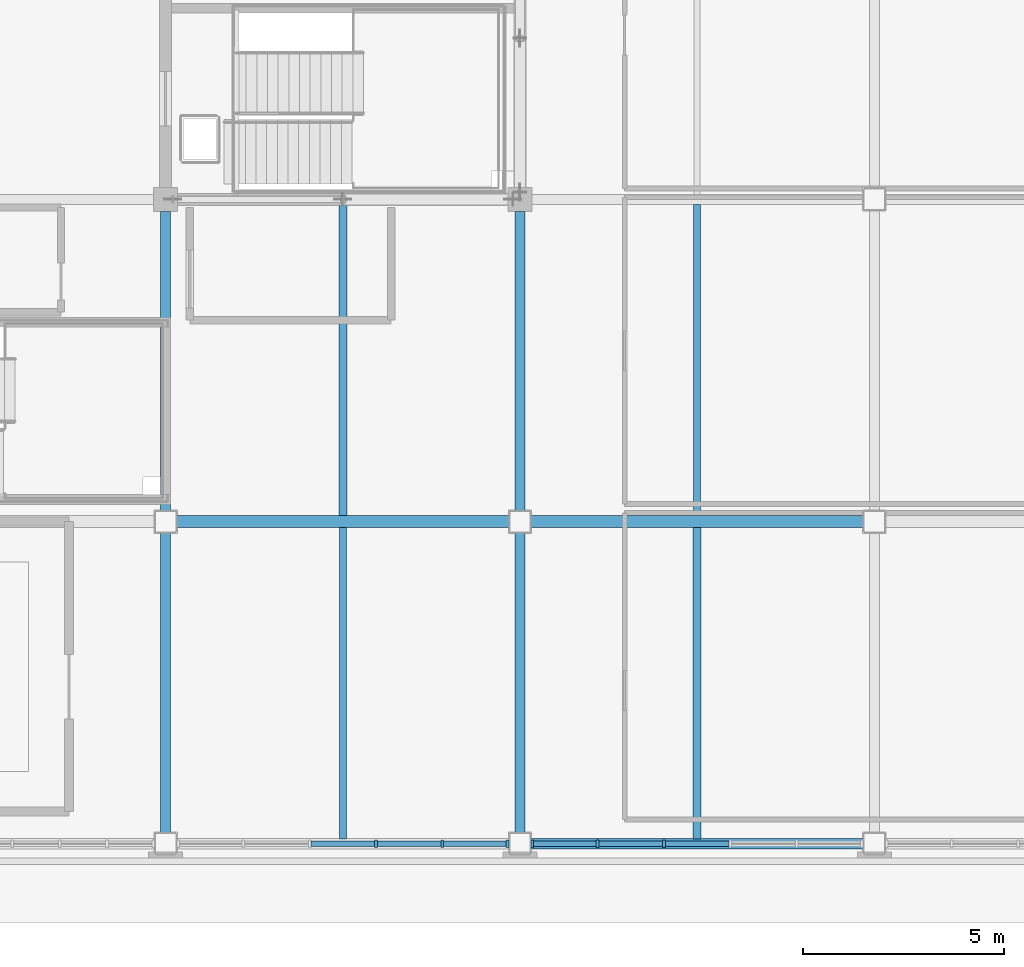
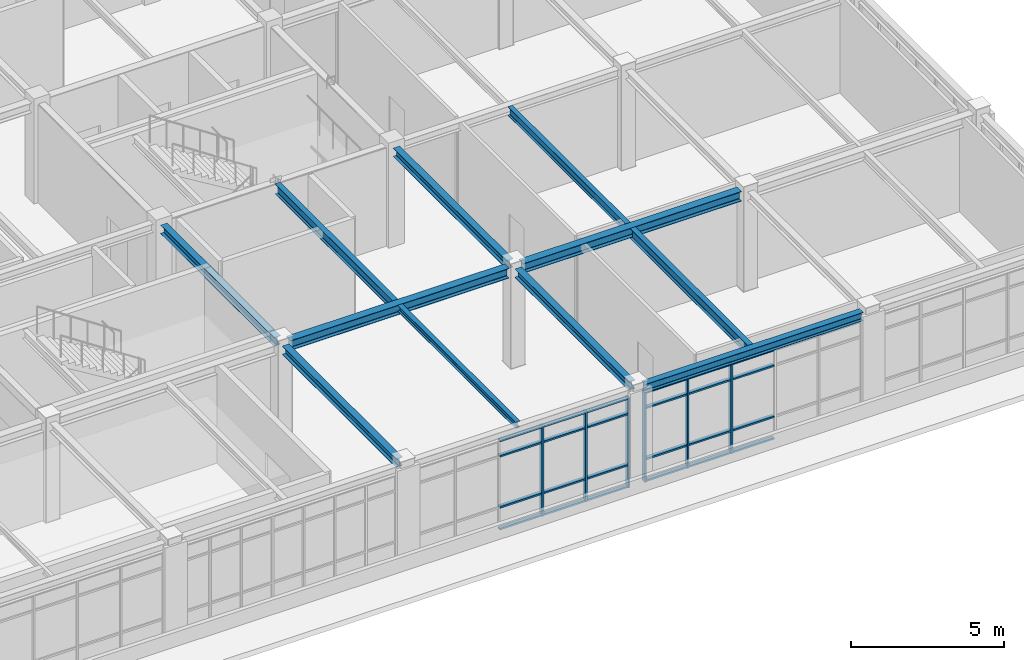
# One storey, part 8 of 64: 30 members, 11 beams, 2 elements without a shape of their own.
"""IFC4 building model written with IfcOpenShell, lengths in metres."""

from ifc_helpers import new_model, si_unit, direction, frame, origin, origin_2d, place, context, subcontext, project, spatial, rectangle, i_section, extrude, material, material_profile, profile_set, type_object, element, aggregate, save


model = new_model("IFC4")

# Units and contexts
model_context = context("Model", 3, precision=1e-05, world=origin(), true_north=direction((0.0, 1.0)))
body_context = subcontext(model_context, "Body", "Model", "MODEL_VIEW")
ifc_project = project(units=[si_unit("LENGTHUNIT", "METRE"), si_unit("AREAUNIT", "SQUARE_METRE"), si_unit("VOLUMEUNIT", "CUBIC_METRE"), si_unit("PLANEANGLEUNIT", "RADIAN"), si_unit("MASSUNIT", "GRAM", prefix="KILO")], contexts=[model_context])

# Site, building, storey
site_placement = place(None, origin())
site = spatial("IfcSite", under=ifc_project, at=site_placement, CompositionType="ELEMENT")
building_placement = place(site_placement, origin())
building = spatial("IfcBuilding", under=site, at=building_placement, Name="Zhaolan Boulevard Law Courts", CompositionType="ELEMENT")
storey_placement = place(building_placement, frame((0.0, 0.0, 20.39990234375)))
storey = spatial("IfcBuildingStorey", under=building, at=storey_placement, Name="L04", CompositionType="ELEMENT", Elevation=20.39990234375)

# Curtain wall, members
ifc_material_1 = material(Name="Thermally broken aluminium and low-E glazing", Category="aluminium")
curtain_wall_type_1 = type_object("IfcCurtainWallType", Name="CURTAIN WALL M19", PredefinedType="USERDEFINED", material=ifc_material_1)
curtain_wall_1_placement = place(storey_placement, origin())
curtain_wall_1 = element("IfcCurtainWall", 1, at=curtain_wall_1_placement, inside=storey, type_object=curtain_wall_type_1, Name="Curtain Wall CW-L04-187", ObjectType="CURTAIN WALL", PredefinedType="USERDEFINED")
ifc_material_2 = material(Name="Fluorocarbon-coated aluminium 6063-T6", Category="aluminium")
ifc_material_profile_1 = material_profile(ifc_material_2, rectangle(XDim=0.179931640625, YDim=0.06494140625, at=origin_2d()), Name="AL65x180")
ifc_profile_set_1 = profile_set([ifc_material_profile_1], Name="Fluorocarbon-coated aluminium 6063-T6")
member_type_1 = type_object("IfcMemberType", Name="CWMULLION 65X180", PredefinedType="MULLION", material=ifc_profile_set_1)
member_1_placement = place(storey_placement, frame((22.82470703125, 30.0, 0.0), z_axis=(0.0, 0.0, 1.0), x_axis=(0.0, 1.0, 0.0)))
member_1 = element("IfcMember", 2, at=member_1_placement, type_object=member_type_1, Name="CW-L04-187 mullion 4", PredefinedType="MULLION", context=body_context, shape_type="SweptSolid", body=[
    extrude(rectangle(XDim=0.179931640625, YDim=0.06494140625, at=origin_2d()), origin(), (0.0, 0.0, 1.0), 3.593017578125),
])
member_2_placement = place(storey_placement, frame((24.473876953125, 30.0, 0.0), z_axis=(0.0, 0.0, 1.0), x_axis=(0.0, 1.0, 0.0)))
member_2 = element("IfcMember", 3, at=member_2_placement, type_object=member_type_1, Name="CW-L04-187 mullion 5", PredefinedType="MULLION", context=body_context, shape_type="SweptSolid", body=[
    extrude(rectangle(XDim=0.179931640625, YDim=0.06494140625, at=origin_2d()), origin(), (0.0, 0.0, 1.0), 3.593017578125),
])
member_3_placement = place(storey_placement, frame((26.090576171875, 30.0, 0.0), z_axis=(0.0, 0.0, 1.0), x_axis=(0.0, 1.0, 0.0)))
member_3 = element("IfcMember", 4, at=member_3_placement, type_object=member_type_1, Name="CW-L04-187 mullion 6", PredefinedType="MULLION", context=body_context, shape_type="SweptSolid", body=[
    extrude(rectangle(XDim=0.179931640625, YDim=0.06494140625, at=origin_2d()), origin(), (0.0, 0.0, 1.0), 3.593017578125),
])

ifc_material_3 = material(Name="Thermally broken aluminium and low-E glazing", Category="aluminium")
curtain_wall_type_2 = type_object("IfcCurtainWallType", Name="CURTAIN WALL M20", PredefinedType="USERDEFINED", material=ifc_material_3)
curtain_wall_2_placement = place(storey_placement, origin())
curtain_wall_2 = element("IfcCurtainWall", 5, at=curtain_wall_2_placement, inside=storey, type_object=curtain_wall_type_2, Name="Curtain Wall CW-L04-188", ObjectType="CURTAIN WALL", PredefinedType="USERDEFINED")
member_4_placement = place(storey_placement, frame((26.70947265625, 30.0, 0.0), z_axis=(0.0, 0.0, 1.0), x_axis=(0.0, 1.0, 0.0)))
member_4 = element("IfcMember", 6, at=member_4_placement, type_object=member_type_1, Name="CW-L04-188 mullion 1", PredefinedType="MULLION", context=body_context, shape_type="SweptSolid", body=[
    extrude(rectangle(XDim=0.179931640625, YDim=0.06494140625, at=origin_2d()), origin(), (0.0, 0.0, 1.0), 3.593017578125),
])
member_5_placement = place(storey_placement, frame((28.326171875, 30.0, 0.0), z_axis=(0.0, 0.0, 1.0), x_axis=(0.0, 1.0, 0.0)))
member_5 = element("IfcMember", 7, at=member_5_placement, type_object=member_type_1, Name="CW-L04-188 mullion 2", PredefinedType="MULLION", context=body_context, shape_type="SweptSolid", body=[
    extrude(rectangle(XDim=0.179931640625, YDim=0.06494140625, at=origin_2d()), origin(), (0.0, 0.0, 1.0), 3.593017578125),
])
member_6_placement = place(storey_placement, frame((29.975341796875, 30.0, 0.0), z_axis=(0.0, 0.0, 1.0), x_axis=(0.0, 1.0, 0.0)))
member_6 = element("IfcMember", 8, at=member_6_placement, type_object=member_type_1, Name="CW-L04-188 mullion 3", PredefinedType="MULLION", context=body_context, shape_type="SweptSolid", body=[
    extrude(rectangle(XDim=0.179931640625, YDim=0.06494140625, at=origin_2d()), origin(), (0.0, 0.0, 1.0), 3.593017578125),
])

# Member
ifc_material_4 = material(Name="Fluorocarbon-coated aluminium 6063-T6", Category="aluminium")
ifc_material_profile_2 = material_profile(ifc_material_4, rectangle(XDim=0.139892578125, YDim=0.06494140625, at=origin_2d()), Name="AL65x140")
ifc_profile_set_2 = profile_set([ifc_material_profile_2], Name="Fluorocarbon-coated aluminium 6063-T6")
member_type_2 = type_object("IfcMemberType", Name="CWTRANSOM 65X140", PredefinedType="USERDEFINED", material=ifc_profile_set_2)
member_7_placement = place(storey_placement, frame((21.2080078125, 30.0, 0.03271484375), z_axis=(1.0, 0.0, 0.0), x_axis=(0.0, 1.0, 0.0)))
member_7 = element("IfcMember", 9, at=member_7_placement, type_object=member_type_2, Name="CW-L04-187 transom 3.1", ObjectType="TRANSOM", PredefinedType="USERDEFINED", context=body_context, shape_type="SweptSolid", body=[
    extrude(rectangle(XDim=0.139892578125, YDim=0.06494140625, at=origin_2d()), origin(), (0.0, 0.0, 1.0), 1.583984375),
])

member_8_placement = place(storey_placement, frame((21.2080078125, 30.0, 0.900146484375), z_axis=(1.0, 0.0, 0.0), x_axis=(0.0, 1.0, 0.0)))
member_8 = element("IfcMember", 10, at=member_8_placement, type_object=member_type_2, Name="CW-L04-187 transom 3.2", ObjectType="TRANSOM", PredefinedType="USERDEFINED", context=body_context, shape_type="SweptSolid", body=[
    extrude(rectangle(XDim=0.139892578125, YDim=0.06494140625, at=origin_2d()), origin(), (0.0, 0.0, 1.0), 1.583984375),
])

member_9_placement = place(storey_placement, frame((21.2080078125, 30.0, 2.943115234375), z_axis=(1.0, 0.0, 0.0), x_axis=(0.0, 1.0, 0.0)))
member_9 = element("IfcMember", 11, at=member_9_placement, type_object=member_type_2, Name="CW-L04-187 transom 3.3", ObjectType="TRANSOM", PredefinedType="USERDEFINED", context=body_context, shape_type="SweptSolid", body=[
    extrude(rectangle(XDim=0.139892578125, YDim=0.06494140625, at=origin_2d()), origin(), (0.0, 0.0, 1.0), 1.583984375),
])

member_10_placement = place(storey_placement, frame((21.2080078125, 30.0, 3.560546875), z_axis=(1.0, 0.0, 0.0), x_axis=(0.0, 1.0, 0.0)))
member_10 = element("IfcMember", 12, at=member_10_placement, type_object=member_type_2, Name="CW-L04-187 transom 3.4", ObjectType="TRANSOM", PredefinedType="USERDEFINED", context=body_context, shape_type="SweptSolid", body=[
    extrude(rectangle(XDim=0.139892578125, YDim=0.06494140625, at=origin_2d()), origin(), (0.0, 0.0, 1.0), 1.583984375),
])

member_11_placement = place(storey_placement, frame((22.857177734375, 30.0, 0.03271484375), z_axis=(1.0, 0.0, 0.0), x_axis=(0.0, 1.0, 0.0)))
member_11 = element("IfcMember", 13, at=member_11_placement, type_object=member_type_2, Name="CW-L04-187 transom 4.1", ObjectType="TRANSOM", PredefinedType="USERDEFINED", context=body_context, shape_type="SweptSolid", body=[
    extrude(rectangle(XDim=0.139892578125, YDim=0.06494140625, at=origin_2d()), origin(), (0.0, 0.0, 1.0), 1.584228515625),
])

member_12_placement = place(storey_placement, frame((22.857177734375, 30.0, 0.900146484375), z_axis=(1.0, 0.0, 0.0), x_axis=(0.0, 1.0, 0.0)))
member_12 = element("IfcMember", 14, at=member_12_placement, type_object=member_type_2, Name="CW-L04-187 transom 4.2", ObjectType="TRANSOM", PredefinedType="USERDEFINED", context=body_context, shape_type="SweptSolid", body=[
    extrude(rectangle(XDim=0.139892578125, YDim=0.06494140625, at=origin_2d()), origin(), (0.0, 0.0, 1.0), 1.584228515625),
])

member_13_placement = place(storey_placement, frame((22.857177734375, 30.0, 2.943115234375), z_axis=(1.0, 0.0, 0.0), x_axis=(0.0, 1.0, 0.0)))
member_13 = element("IfcMember", 15, at=member_13_placement, type_object=member_type_2, Name="CW-L04-187 transom 4.3", ObjectType="TRANSOM", PredefinedType="USERDEFINED", context=body_context, shape_type="SweptSolid", body=[
    extrude(rectangle(XDim=0.139892578125, YDim=0.06494140625, at=origin_2d()), origin(), (0.0, 0.0, 1.0), 1.584228515625),
])

member_14_placement = place(storey_placement, frame((22.857177734375, 30.0, 3.560546875), z_axis=(1.0, 0.0, 0.0), x_axis=(0.0, 1.0, 0.0)))
member_14 = element("IfcMember", 16, at=member_14_placement, type_object=member_type_2, Name="CW-L04-187 transom 4.4", ObjectType="TRANSOM", PredefinedType="USERDEFINED", context=body_context, shape_type="SweptSolid", body=[
    extrude(rectangle(XDim=0.139892578125, YDim=0.06494140625, at=origin_2d()), origin(), (0.0, 0.0, 1.0), 1.584228515625),
])

member_15_placement = place(storey_placement, frame((24.50634765625, 30.0, 0.03271484375), z_axis=(1.0, 0.0, 0.0), x_axis=(0.0, 1.0, 0.0)))
member_15 = element("IfcMember", 17, at=member_15_placement, type_object=member_type_2, Name="CW-L04-187 transom 5.1", ObjectType="TRANSOM", PredefinedType="USERDEFINED", context=body_context, shape_type="SweptSolid", body=[
    extrude(rectangle(XDim=0.139892578125, YDim=0.06494140625, at=origin_2d()), origin(), (0.0, 0.0, 1.0), 1.5517578125),
])

member_16_placement = place(storey_placement, frame((24.50634765625, 30.0, 0.900146484375), z_axis=(1.0, 0.0, 0.0), x_axis=(0.0, 1.0, 0.0)))
member_16 = element("IfcMember", 18, at=member_16_placement, type_object=member_type_2, Name="CW-L04-187 transom 5.2", ObjectType="TRANSOM", PredefinedType="USERDEFINED", context=body_context, shape_type="SweptSolid", body=[
    extrude(rectangle(XDim=0.139892578125, YDim=0.06494140625, at=origin_2d()), origin(), (0.0, 0.0, 1.0), 1.5517578125),
])

member_17_placement = place(storey_placement, frame((24.50634765625, 30.0, 2.943115234375), z_axis=(1.0, 0.0, 0.0), x_axis=(0.0, 1.0, 0.0)))
member_17 = element("IfcMember", 19, at=member_17_placement, type_object=member_type_2, Name="CW-L04-187 transom 5.3", ObjectType="TRANSOM", PredefinedType="USERDEFINED", context=body_context, shape_type="SweptSolid", body=[
    extrude(rectangle(XDim=0.139892578125, YDim=0.06494140625, at=origin_2d()), origin(), (0.0, 0.0, 1.0), 1.5517578125),
])

member_18_placement = place(storey_placement, frame((24.50634765625, 30.0, 3.560546875), z_axis=(1.0, 0.0, 0.0), x_axis=(0.0, 1.0, 0.0)))
member_18 = element("IfcMember", 20, at=member_18_placement, type_object=member_type_2, Name="CW-L04-187 transom 5.4", ObjectType="TRANSOM", PredefinedType="USERDEFINED", context=body_context, shape_type="SweptSolid", body=[
    extrude(rectangle(XDim=0.139892578125, YDim=0.06494140625, at=origin_2d()), origin(), (0.0, 0.0, 1.0), 1.5517578125),
])

aggregate(curtain_wall_1, [member_1, member_2, member_3, member_7, member_8, member_9, member_10, member_11, member_12, member_13, member_14, member_15, member_16, member_17, member_18])

member_19_placement = place(storey_placement, frame((26.741943359375, 30.0, 0.03271484375), z_axis=(1.0, 0.0, 0.0), x_axis=(0.0, 1.0, 0.0)))
member_19 = element("IfcMember", 21, at=member_19_placement, type_object=member_type_2, Name="CW-L04-188 transom 1.1", ObjectType="TRANSOM", PredefinedType="USERDEFINED", context=body_context, shape_type="SweptSolid", body=[
    extrude(rectangle(XDim=0.139892578125, YDim=0.06494140625, at=origin_2d()), origin(), (0.0, 0.0, 1.0), 1.5517578125),
])

member_20_placement = place(storey_placement, frame((26.741943359375, 30.0, 0.900146484375), z_axis=(1.0, 0.0, 0.0), x_axis=(0.0, 1.0, 0.0)))
member_20 = element("IfcMember", 22, at=member_20_placement, type_object=member_type_2, Name="CW-L04-188 transom 1.2", ObjectType="TRANSOM", PredefinedType="USERDEFINED", context=body_context, shape_type="SweptSolid", body=[
    extrude(rectangle(XDim=0.139892578125, YDim=0.06494140625, at=origin_2d()), origin(), (0.0, 0.0, 1.0), 1.5517578125),
])

member_21_placement = place(storey_placement, frame((26.741943359375, 30.0, 2.943115234375), z_axis=(1.0, 0.0, 0.0), x_axis=(0.0, 1.0, 0.0)))
member_21 = element("IfcMember", 23, at=member_21_placement, type_object=member_type_2, Name="CW-L04-188 transom 1.3", ObjectType="TRANSOM", PredefinedType="USERDEFINED", context=body_context, shape_type="SweptSolid", body=[
    extrude(rectangle(XDim=0.139892578125, YDim=0.06494140625, at=origin_2d()), origin(), (0.0, 0.0, 1.0), 1.5517578125),
])

member_22_placement = place(storey_placement, frame((26.741943359375, 30.0, 3.560546875), z_axis=(1.0, 0.0, 0.0), x_axis=(0.0, 1.0, 0.0)))
member_22 = element("IfcMember", 24, at=member_22_placement, type_object=member_type_2, Name="CW-L04-188 transom 1.4", ObjectType="TRANSOM", PredefinedType="USERDEFINED", context=body_context, shape_type="SweptSolid", body=[
    extrude(rectangle(XDim=0.139892578125, YDim=0.06494140625, at=origin_2d()), origin(), (0.0, 0.0, 1.0), 1.5517578125),
])

member_23_placement = place(storey_placement, frame((28.358642578125, 30.0, 0.03271484375), z_axis=(1.0, 0.0, 0.0), x_axis=(0.0, 1.0, 0.0)))
member_23 = element("IfcMember", 25, at=member_23_placement, type_object=member_type_2, Name="CW-L04-188 transom 2.1", ObjectType="TRANSOM", PredefinedType="USERDEFINED", context=body_context, shape_type="SweptSolid", body=[
    extrude(rectangle(XDim=0.139892578125, YDim=0.06494140625, at=origin_2d()), origin(), (0.0, 0.0, 1.0), 1.584228515625),
])

member_24_placement = place(storey_placement, frame((28.358642578125, 30.0, 0.900146484375), z_axis=(1.0, 0.0, 0.0), x_axis=(0.0, 1.0, 0.0)))
member_24 = element("IfcMember", 26, at=member_24_placement, type_object=member_type_2, Name="CW-L04-188 transom 2.2", ObjectType="TRANSOM", PredefinedType="USERDEFINED", context=body_context, shape_type="SweptSolid", body=[
    extrude(rectangle(XDim=0.139892578125, YDim=0.06494140625, at=origin_2d()), origin(), (0.0, 0.0, 1.0), 1.584228515625),
])

member_25_placement = place(storey_placement, frame((28.358642578125, 30.0, 2.943115234375), z_axis=(1.0, 0.0, 0.0), x_axis=(0.0, 1.0, 0.0)))
member_25 = element("IfcMember", 27, at=member_25_placement, type_object=member_type_2, Name="CW-L04-188 transom 2.3", ObjectType="TRANSOM", PredefinedType="USERDEFINED", context=body_context, shape_type="SweptSolid", body=[
    extrude(rectangle(XDim=0.139892578125, YDim=0.06494140625, at=origin_2d()), origin(), (0.0, 0.0, 1.0), 1.584228515625),
])

member_26_placement = place(storey_placement, frame((28.358642578125, 30.0, 3.560546875), z_axis=(1.0, 0.0, 0.0), x_axis=(0.0, 1.0, 0.0)))
member_26 = element("IfcMember", 28, at=member_26_placement, type_object=member_type_2, Name="CW-L04-188 transom 2.4", ObjectType="TRANSOM", PredefinedType="USERDEFINED", context=body_context, shape_type="SweptSolid", body=[
    extrude(rectangle(XDim=0.139892578125, YDim=0.06494140625, at=origin_2d()), origin(), (0.0, 0.0, 1.0), 1.584228515625),
])

member_27_placement = place(storey_placement, frame((30.0078125, 30.0, 0.03271484375), z_axis=(1.0, 0.0, 0.0), x_axis=(0.0, 1.0, 0.0)))
member_27 = element("IfcMember", 29, at=member_27_placement, type_object=member_type_2, Name="CW-L04-188 transom 3.1", ObjectType="TRANSOM", PredefinedType="USERDEFINED", context=body_context, shape_type="SweptSolid", body=[
    extrude(rectangle(XDim=0.139892578125, YDim=0.06494140625, at=origin_2d()), origin(), (0.0, 0.0, 1.0), 1.584228515625),
])

member_28_placement = place(storey_placement, frame((30.0078125, 30.0, 0.900146484375), z_axis=(1.0, 0.0, 0.0), x_axis=(0.0, 1.0, 0.0)))
member_28 = element("IfcMember", 30, at=member_28_placement, type_object=member_type_2, Name="CW-L04-188 transom 3.2", ObjectType="TRANSOM", PredefinedType="USERDEFINED", context=body_context, shape_type="SweptSolid", body=[
    extrude(rectangle(XDim=0.139892578125, YDim=0.06494140625, at=origin_2d()), origin(), (0.0, 0.0, 1.0), 1.584228515625),
])

member_29_placement = place(storey_placement, frame((30.0078125, 30.0, 2.943115234375), z_axis=(1.0, 0.0, 0.0), x_axis=(0.0, 1.0, 0.0)))
member_29 = element("IfcMember", 31, at=member_29_placement, type_object=member_type_2, Name="CW-L04-188 transom 3.3", ObjectType="TRANSOM", PredefinedType="USERDEFINED", context=body_context, shape_type="SweptSolid", body=[
    extrude(rectangle(XDim=0.139892578125, YDim=0.06494140625, at=origin_2d()), origin(), (0.0, 0.0, 1.0), 1.584228515625),
])

member_30_placement = place(storey_placement, frame((30.0078125, 30.0, 3.560546875), z_axis=(1.0, 0.0, 0.0), x_axis=(0.0, 1.0, 0.0)))
member_30 = element("IfcMember", 32, at=member_30_placement, type_object=member_type_2, Name="CW-L04-188 transom 3.4", ObjectType="TRANSOM", PredefinedType="USERDEFINED", context=body_context, shape_type="SweptSolid", body=[
    extrude(rectangle(XDim=0.139892578125, YDim=0.06494140625, at=origin_2d()), origin(), (0.0, 0.0, 1.0), 1.584228515625),
])

aggregate(curtain_wall_2, [member_4, member_5, member_6, member_19, member_20, member_21, member_22, member_23, member_24, member_25, member_26, member_27, member_28, member_29, member_30])

# Beams
ifc_material_5 = material(Name="Structural steel Q355B", Category="steel")
ifc_material_profile_3 = material_profile(ifc_material_5, i_section(OverallWidth=0.25, OverallDepth=0.340087890625, WebThickness=0.009033203125, FlangeThickness=0.013916015625, FilletRadius=0.01611328125, at=origin_2d()), Name="HM340x250")
ifc_profile_set_3 = profile_set([ifc_material_profile_3], Name="Structural steel Q355B")
beam_type_1 = type_object("IfcBeamType", Name="GIRDER HM340", PredefinedType="BEAM", material=ifc_profile_set_3)
beam_1_placement = place(storey_placement, frame((17.60009765625, 30.27099609375, 3.778076171875), z_axis=(0.0, 1.0, 0.0), x_axis=(-1.0, 0.0, 0.0)))
element("IfcBeam", 33, at=beam_1_placement, inside=storey, type_object=beam_type_1, Name="Beam BY-L05-3-E-F", PredefinedType="BEAM", context=body_context, shape_type="SweptSolid", body=[
    extrude(i_section(OverallWidth=0.25, OverallDepth=0.340087890625, WebThickness=0.009033203125, FlangeThickness=0.013916015625, FilletRadius=0.01611328125, at=origin_2d()), origin(), (0.0, 0.0, 1.0), 7.4580078125),
])
beam_2_placement = place(storey_placement, frame((17.60009765625, 38.27099609375, 3.778076171875), z_axis=(0.0, 1.0, 0.0), x_axis=(-1.0, 0.0, 0.0)))
element("IfcBeam", 34, at=beam_2_placement, inside=storey, type_object=beam_type_1, Name="Beam BY-L05-3-F-G", PredefinedType="BEAM", context=body_context, shape_type="SweptSolid", body=[
    extrude(i_section(OverallWidth=0.25, OverallDepth=0.340087890625, WebThickness=0.009033203125, FlangeThickness=0.013916015625, FilletRadius=0.01611328125, at=origin_2d()), origin(), (0.0, 0.0, 1.0), 7.43310546875),
])
beam_3_placement = place(storey_placement, frame((26.39990234375, 30.27099609375, 3.778076171875), z_axis=(0.0, 1.0, 0.0), x_axis=(-1.0, 0.0, 0.0)))
element("IfcBeam", 35, at=beam_3_placement, inside=storey, type_object=beam_type_1, Name="Beam BY-L05-4-E-F", PredefinedType="BEAM", context=body_context, shape_type="SweptSolid", body=[
    extrude(i_section(OverallWidth=0.25, OverallDepth=0.340087890625, WebThickness=0.009033203125, FlangeThickness=0.013916015625, FilletRadius=0.01611328125, at=origin_2d()), origin(), (0.0, 0.0, 1.0), 7.4580078125),
])
beam_4_placement = place(storey_placement, frame((26.39990234375, 38.27099609375, 3.778076171875), z_axis=(0.0, 1.0, 0.0), x_axis=(-1.0, 0.0, 0.0)))
element("IfcBeam", 36, at=beam_4_placement, inside=storey, type_object=beam_type_1, Name="Beam BY-L05-4-F-G", PredefinedType="BEAM", context=body_context, shape_type="SweptSolid", body=[
    extrude(i_section(OverallWidth=0.25, OverallDepth=0.340087890625, WebThickness=0.009033203125, FlangeThickness=0.013916015625, FilletRadius=0.01611328125, at=origin_2d()), origin(), (0.0, 0.0, 1.0), 7.43310546875),
])
ifc_material_6 = material(Name="Structural steel Q355B", Category="steel")
ifc_material_profile_4 = material_profile(ifc_material_6, i_section(OverallWidth=0.300048828125, OverallDepth=0.389892578125, WebThickness=0.010009765625, FlangeThickness=0.01611328125, FilletRadius=0.01806640625, at=origin_2d()), Name="HM390x300")
ifc_profile_set_4 = profile_set([ifc_material_profile_4], Name="Structural steel Q355B")
beam_type_2 = type_object("IfcBeamType", Name="GIRDER HM390", PredefinedType="BEAM", material=ifc_profile_set_4)
beam_5_placement = place(storey_placement, frame((17.87109375, 38.0, 3.753173828125), z_axis=(1.0, 0.0, 0.0), x_axis=(0.0, 1.0, 0.0)))
element("IfcBeam", 37, at=beam_5_placement, inside=storey, type_object=beam_type_2, Name="Beam BX-L05-3-4-F", PredefinedType="BEAM", context=body_context, shape_type="SweptSolid", body=[
    extrude(i_section(OverallWidth=0.300048828125, OverallDepth=0.389892578125, WebThickness=0.010009765625, FlangeThickness=0.01611328125, FilletRadius=0.01806640625, at=origin_2d()), origin(), (0.0, 0.0, 1.0), 8.2578125),
])
beam_6_placement = place(storey_placement, frame((26.6708984375, 38.0, 3.753173828125), z_axis=(1.0, 0.0, 0.0), x_axis=(0.0, 1.0, 0.0)))
element("IfcBeam", 38, at=beam_6_placement, inside=storey, type_object=beam_type_2, Name="Beam BX-L05-4-5-F", PredefinedType="BEAM", context=body_context, shape_type="SweptSolid", body=[
    extrude(i_section(OverallWidth=0.300048828125, OverallDepth=0.389892578125, WebThickness=0.010009765625, FlangeThickness=0.01611328125, FilletRadius=0.01806640625, at=origin_2d()), origin(), (0.0, 0.0, 1.0), 8.258056640625),
])
ifc_material_7 = material(Name="Structural steel Q355B", Category="steel")
ifc_material_profile_5 = material_profile(ifc_material_7, i_section(OverallWidth=0.175048828125, OverallDepth=0.243896484375, WebThickness=0.007080078125, FlangeThickness=0.010986328125, FilletRadius=0.012939453125, at=origin_2d()), Name="HM244x175")
ifc_profile_set_5 = profile_set([ifc_material_profile_5], Name="Structural steel Q355B")
beam_type_3 = type_object("IfcBeamType", Name="JOIST HM244", PredefinedType="JOIST", material=ifc_profile_set_5)
beam_7_placement = place(storey_placement, frame((22.0, 30.12109375, 3.826171875), z_axis=(0.0, 1.0, 0.0), x_axis=(-1.0, 0.0, 0.0)))
element("IfcBeam", 39, at=beam_7_placement, inside=storey, type_object=beam_type_3, Name="Composite Joist J-L05-3E", PredefinedType="JOIST", context=body_context, shape_type="SweptSolid", body=[
    extrude(i_section(OverallWidth=0.175048828125, OverallDepth=0.243896484375, WebThickness=0.007080078125, FlangeThickness=0.010986328125, FilletRadius=0.012939453125, at=origin_2d()), origin(), (0.0, 0.0, 1.0), 7.73291015625),
])
ifc_material_8 = material(Name="Structural steel Q355B", Category="steel")
ifc_material_profile_6 = material_profile(ifc_material_8, i_section(OverallWidth=0.175048828125, OverallDepth=0.35009765625, WebThickness=0.007080078125, FlangeThickness=0.010986328125, FilletRadius=0.012939453125, at=origin_2d()), Name="HN350x175")
ifc_profile_set_6 = profile_set([ifc_material_profile_6], Name="Structural steel Q355B")
beam_type_4 = type_object("IfcBeamType", Name="JOIST HN350", PredefinedType="JOIST", material=ifc_profile_set_6)
beam_8_placement = place(storey_placement, frame((30.800048828125, 38.14599609375, 3.773193359375), z_axis=(0.0, 1.0, 0.0), x_axis=(-1.0, 0.0, 0.0)))
element("IfcBeam", 40, at=beam_8_placement, inside=storey, type_object=beam_type_4, Name="Composite Joist J-L05-4F", PredefinedType="JOIST", context=body_context, shape_type="SweptSolid", body=[
    extrude(i_section(OverallWidth=0.175048828125, OverallDepth=0.35009765625, WebThickness=0.007080078125, FlangeThickness=0.010986328125, FilletRadius=0.012939453125, at=origin_2d()), origin(), (0.0, 0.0, 1.0), 7.73291015625),
])
ifc_material_9 = material(Name="Structural steel Q355B", Category="steel")
ifc_material_profile_7 = material_profile(ifc_material_9, i_section(OverallWidth=0.199951171875, OverallDepth=0.39990234375, WebThickness=0.008056640625, FlangeThickness=0.012939453125, FilletRadius=0.013916015625, at=origin_2d()), Name="HN400x200")
ifc_profile_set_7 = profile_set([ifc_material_profile_7], Name="Structural steel Q355B")
beam_type_5 = type_object("IfcBeamType", Name="JOIST HN400", PredefinedType="JOIST", material=ifc_profile_set_7)
for number, where, z_axis, x_axis, name in (
    (41, (22.0, 38.14599609375, 3.748046875), (0.0, 1.0, 0.0), (-1.0, 0.0, 0.0), "Composite Joist J-L05-3F"),
    (42, (30.800048828125, 30.12109375, 3.748046875), (0.0, 1.0, 0.0), (-1.0, 0.0, 0.0), "Composite Joist J-L05-4E"),
):
    element("IfcBeam", number, at=place(storey_placement, frame(where, z_axis=z_axis, x_axis=x_axis)), inside=storey, type_object=beam_type_5, Name=name, PredefinedType="JOIST", context=body_context, shape_type="SweptSolid", body=[
        extrude(i_section(OverallWidth=0.199951171875, OverallDepth=0.39990234375, WebThickness=0.008056640625, FlangeThickness=0.012939453125, FilletRadius=0.013916015625, at=origin_2d()), origin(), (0.0, 0.0, 1.0), 7.73291015625),
    ])
ifc_material_10 = material(Name="Structural steel Q355B", Category="steel")
ifc_material_profile_8 = material_profile(ifc_material_10, i_section(OverallWidth=0.25, OverallDepth=0.340087890625, WebThickness=0.009033203125, FlangeThickness=0.013916015625, FilletRadius=0.01611328125, at=origin_2d()), Name="HM340x250")
ifc_profile_set_8 = profile_set([ifc_material_profile_8], Name="Structural steel Q355B")
beam_type_6 = type_object("IfcBeamType", Name="SPANDREL HM340", PredefinedType="SPANDREL", material=ifc_profile_set_8)
beam_9_placement = place(storey_placement, frame((26.6708984375, 30.0, 3.778076171875), z_axis=(1.0, 0.0, 0.0), x_axis=(0.0, 1.0, 0.0)))
element("IfcBeam", 43, at=beam_9_placement, inside=storey, type_object=beam_type_6, Name="Beam BX-L05-4-5-E", PredefinedType="SPANDREL", context=body_context, shape_type="SweptSolid", body=[
    extrude(i_section(OverallWidth=0.25, OverallDepth=0.340087890625, WebThickness=0.009033203125, FlangeThickness=0.013916015625, FilletRadius=0.01611328125, at=origin_2d()), origin(), (0.0, 0.0, 1.0), 8.258056640625),
])

save(model, "model.ifc")
